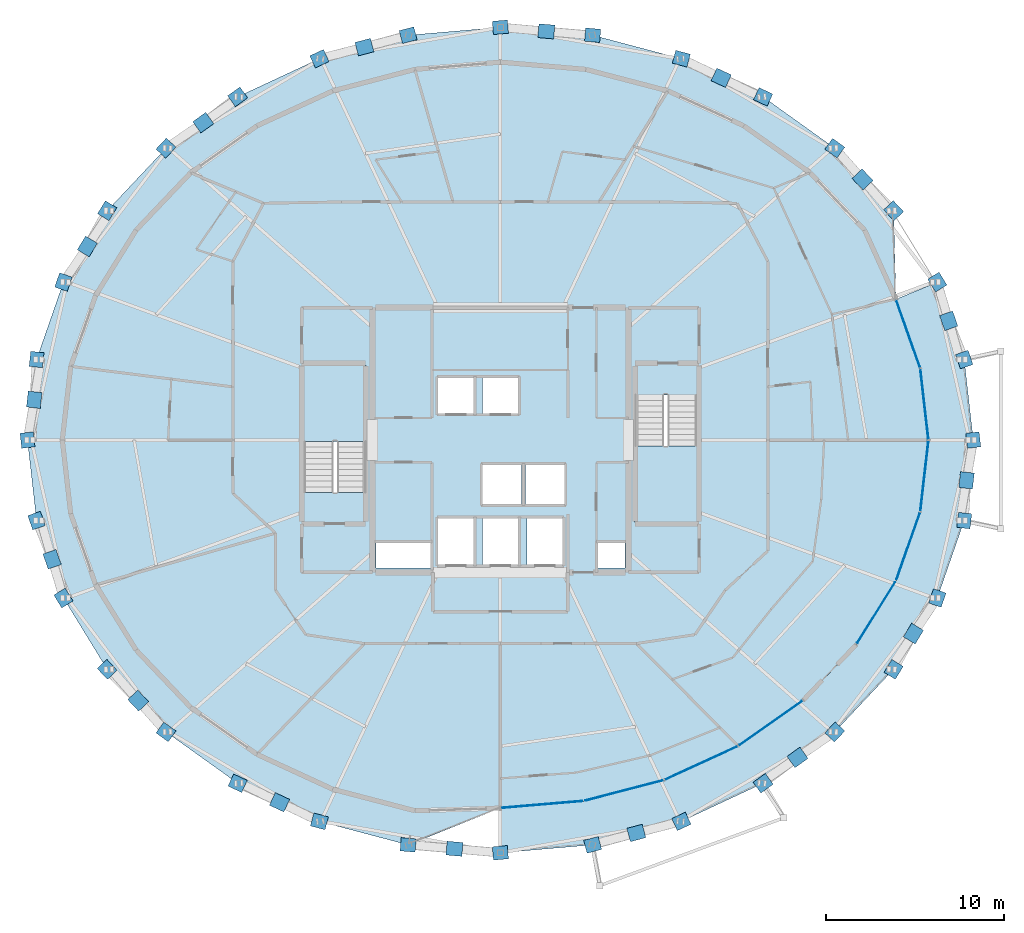
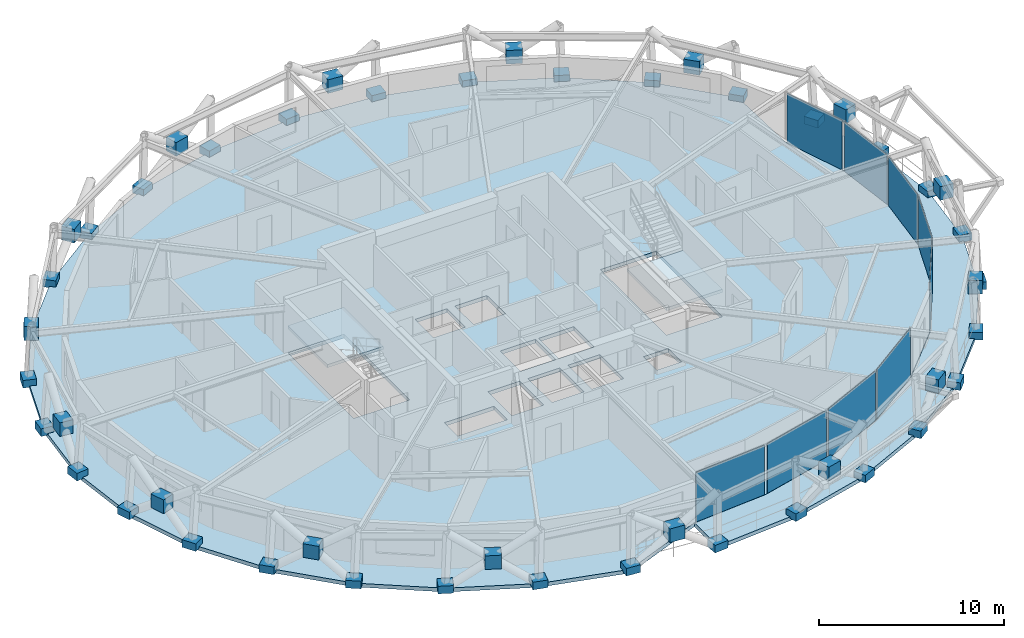
# One storey, part 11 of 17: 57 plates, 4 slabs, 4 elements without a shape of their own.
"""IFC4 building model written with IfcOpenShell, lengths in metres."""

from ifc_helpers import new_model, si_unit, direction, frame, origin, origin_2d, place, context, subcontext, project, spatial, polyline, rectangle, outline, extrude, material, layer, layer_set, type_object, element, aggregate, save


model = new_model("IFC4")

# Units and contexts
model_context = context("Model", 3, precision=1e-05, world=origin(), true_north=direction((0.0, 1.0)))
body_context = subcontext(model_context, "Body", "Model", "MODEL_VIEW")
ifc_project = project(units=[si_unit("LENGTHUNIT", "METRE"), si_unit("AREAUNIT", "SQUARE_METRE"), si_unit("VOLUMEUNIT", "CUBIC_METRE"), si_unit("PLANEANGLEUNIT", "RADIAN"), si_unit("MASSUNIT", "GRAM", prefix="KILO")], contexts=[model_context])

# Site, building, storey
site_placement = place(None, origin())
site = spatial("IfcSite", under=ifc_project, at=site_placement, CompositionType="ELEMENT")
building_placement = place(site_placement, origin())
building = spatial("IfcBuilding", under=site, at=building_placement, Name="Veldorina Hangang Commons", CompositionType="ELEMENT")
storey_placement = place(building_placement, frame((0.0, 0.0, 196.39990234375)))
storey = spatial("IfcBuildingStorey", under=building, at=storey_placement, Name="L51", CompositionType="ELEMENT", Elevation=196.39990234375)

# Curtain wall, plates
ifc_material_1 = material(Name="Glass Low-E Triple IGU", Category="glass")
ifc_layer_1 = layer(ifc_material_1, 0.179931640625)
ifc_layer_set_1 = layer_set([ifc_layer_1], Name="Glass Low-E Triple IGU")
curtain_wall_type = type_object("IfcCurtainWallType", Name="CW-SYS-Z2", PredefinedType="NOTDEFINED", material=ifc_layer_set_1)
curtain_wall_1_placement = place(storey_placement, origin())
curtain_wall_1 = element("IfcCurtainWall", 1, at=curtain_wall_1_placement, inside=storey, type_object=curtain_wall_type, Name="L51 unitised curtain wall CW-L51-R1", PredefinedType="NOTDEFINED")
ifc_layer_2 = layer(ifc_material_1, 0.0400390625)
ifc_layer_set_2 = layer_set([ifc_layer_2], Name="Glass Low-E Triple IGU")
plate_type_1 = type_object("IfcPlateType", Name="CW-PNL-VIS", PredefinedType="CURTAIN_PANEL", material=ifc_layer_set_2)
plate_1_placement = place(storey_placement, frame((34.35009765625, 3.49169921875, 0.01513671875), z_axis=(0.0, 0.0, 1.0), x_axis=(0.996435670704, 0.084356115068, 0.0)))
plate_1 = element("IfcPlate", 2, at=plate_1_placement, type_object=plate_type_1, Name="CW-L51-R1 facet 1 glazed vision panel", PredefinedType="CURTAIN_PANEL", context=body_context, shape_type="SweptSolid", body=[
    extrude(rectangle(XDim=4.536865234375, YDim=0.0400390625, at=origin_2d()), origin(), (0.0, 0.0, 1.0), 3.280029296875),
])
plate_2_placement = place(storey_placement, frame((38.9599609375, 4.27978515625, 0.01513671875), z_axis=(0.0, 0.0, 1.0), x_axis=(0.96765195285, 0.252288917999, 0.0)))
plate_2 = element("IfcPlate", 3, at=plate_2_placement, type_object=plate_type_1, Name="CW-L51-R1 facet 2 glazed vision panel", PredefinedType="CURTAIN_PANEL", context=body_context, shape_type="SweptSolid", body=[
    extrude(rectangle(XDim=4.490478515625, YDim=0.0400390625, at=origin_2d()), origin(), (0.0, 0.0, 1.0), 3.280029296875),
])
plate_3_placement = place(storey_placement, frame((43.302001953125, 5.82568359375, 0.01513671875), z_axis=(0.0, 0.0, 1.0), x_axis=(0.908683133569, 0.417486482137, 0.0)))
plate_3 = element("IfcPlate", 4, at=plate_3_placement, type_object=plate_type_1, Name="CW-L51-R1 facet 3 glazed vision panel", PredefinedType="CURTAIN_PANEL", context=body_context, shape_type="SweptSolid", body=[
    extrude(rectangle(XDim=4.40380859375, YDim=0.0400390625, at=origin_2d()), origin(), (0.0, 0.0, 1.0), 3.280029296875),
])
plate_4_placement = place(storey_placement, frame((47.210205078125, 8.070068359375, 0.01513671875), z_axis=(0.0, 0.0, 1.0), x_axis=(0.817165019121, 0.576403792081, 0.0)))
plate_4 = element("IfcPlate", 5, at=plate_4_placement, type_object=plate_type_1, Name="CW-L51-R1 facet 4 glazed vision panel", PredefinedType="CURTAIN_PANEL", context=body_context, shape_type="SweptSolid", body=[
    extrude(rectangle(XDim=4.28759765625, YDim=0.0400390625, at=origin_2d()), origin(), (0.0, 0.0, 1.0), 3.280029296875),
])
aggregate(curtain_wall_1, [plate_1, plate_2, plate_3, plate_4])

curtain_wall_2_placement = place(storey_placement, origin())
curtain_wall_2 = element("IfcCurtainWall", 6, at=curtain_wall_2_placement, inside=storey, type_object=curtain_wall_type, Name="L51 unitised curtain wall CW-L51-R2", PredefinedType="NOTDEFINED")
plate_5_placement = place(storey_placement, frame((53.14501953125, 14.28564453125, 0.01513671875), z_axis=(0.0, 0.0, 1.0), x_axis=(0.528082671944, 0.849192964875, 0.0)))
plate_5 = element("IfcPlate", 7, at=plate_5_placement, type_object=plate_type_1, Name="CW-L51-R2 facet 1 glazed vision panel", PredefinedType="CURTAIN_PANEL", context=body_context, shape_type="SweptSolid", body=[
    extrude(rectangle(XDim=4.035888671875, YDim=0.0400390625, at=origin_2d()), origin(), (0.0, 0.0, 1.0), 3.280029296875),
])
plate_6_placement = place(storey_placement, frame((54.943603515625, 18.017822265625, 0.01513671875), z_axis=(0.0, 0.0, 1.0), x_axis=(0.332819544523, 0.942990535893, 0.0)))
plate_6 = element("IfcPlate", 8, at=plate_6_placement, type_object=plate_type_1, Name="CW-L51-R2 facet 2 glazed vision panel", PredefinedType="CURTAIN_PANEL", context=body_context, shape_type="SweptSolid", body=[
    extrude(rectangle(XDim=3.939208984375, YDim=0.0400390625, at=origin_2d()), origin(), (0.0, 0.0, 1.0), 3.280029296875),
])
plate_7_placement = place(storey_placement, frame((55.860595703125, 21.97998046875, 0.01513671875), z_axis=(0.0, 0.0, 1.0), x_axis=(0.113844810828, 0.993498545066, 0.0)))
plate_7 = element("IfcPlate", 9, at=plate_7_placement, type_object=plate_type_1, Name="CW-L51-R2 facet 3 glazed vision panel", PredefinedType="CURTAIN_PANEL", context=body_context, shape_type="SweptSolid", body=[
    extrude(rectangle(XDim=3.88623046875, YDim=0.0400390625, at=origin_2d()), origin(), (0.0, 0.0, 1.0), 3.280029296875),
])
plate_8_placement = place(storey_placement, frame((55.860595703125, 26.02001953125, 0.01513671875), z_axis=(0.0, 0.0, 1.0), x_axis=(-0.113844810828, 0.993498545066, 0.0)))
plate_8 = element("IfcPlate", 10, at=plate_8_placement, type_object=plate_type_1, Name="CW-L51-R2 facet 4 glazed vision panel", PredefinedType="CURTAIN_PANEL", context=body_context, shape_type="SweptSolid", body=[
    extrude(rectangle(XDim=3.88623046875, YDim=0.0400390625, at=origin_2d()), origin(), (0.0, 0.0, 1.0), 3.280029296875),
])
plate_9_placement = place(storey_placement, frame((54.943603515625, 29.982177734375, 0.01513671875), z_axis=(0.0, 0.0, 1.0), x_axis=(-0.332819544523, 0.942990535893, 0.0)))
plate_9 = element("IfcPlate", 11, at=plate_9_placement, type_object=plate_type_1, Name="CW-L51-R2 facet 5 glazed vision panel", PredefinedType="CURTAIN_PANEL", context=body_context, shape_type="SweptSolid", body=[
    extrude(rectangle(XDim=3.939208984375, YDim=0.0400390625, at=origin_2d()), origin(), (0.0, 0.0, 1.0), 3.280029296875),
])
aggregate(curtain_wall_2, [plate_5, plate_6, plate_7, plate_8, plate_9])

# Plates
ifc_material_2 = material(Name="Steel SM460-TMC", Category="steel")
ifc_layer_3 = layer(ifc_material_2, 0.035888671875)
ifc_layer_set_3 = layer_set([ifc_layer_3], Name="Steel SM460-TMC")
plate_type_2 = type_object("IfcPlateType", Name="PL-STAR-36", PredefinedType="USERDEFINED", material=ifc_layer_set_3)
for number, where, z_axis, x_axis, name in (
    (12, (58.61181640625, 24.0, -0.08984375), (0.0, 0.0, 1.0), (-0.112127999485, 0.993693771607, 0.0), "L51 diagrid star-node gusset plate 00"),
    (13, (58.1005859375, 28.531494140625, -0.08984375), (0.0, 0.0, 1.0), (-0.328289698719, 0.944577087227, 0.0), "L51 diagrid star-node gusset plate 01"),
):
    element("IfcPlate", number, at=place(storey_placement, frame(where, z_axis=z_axis, x_axis=x_axis)), inside=storey, type_object=plate_type_2, Name=name, ObjectType="GUSSET PLATE", PredefinedType="USERDEFINED", context=body_context, shape_type="SweptSolid", body=[
        extrude(rectangle(XDim=0.85009765625, YDim=0.75, at=origin_2d()), origin(), (0.0, 0.0, 1.0), 0.5),
    ])
plate_10_placement = place(storey_placement, frame((57.2265625, 30.70947265625, 1.3515625), z_axis=(0.0, 0.0, 1.0), x_axis=(-0.328289698719, 0.944577087227, 0.0)))
element("IfcPlate", 14, at=plate_10_placement, inside=storey, type_object=plate_type_2, Name="L51 diagrid X-crossing star-node gusset plate 01", ObjectType="GUSSET PLATE", PredefinedType="USERDEFINED", context=body_context, shape_type="SweptSolid", body=[
    extrude(rectangle(XDim=0.89990234375, YDim=0.780029296875, at=origin_2d()), origin(), (0.0, 0.0, 1.0), 0.89990234375),
])
for number, where, z_axis, x_axis, name in (
    (15, (56.586181640625, 32.888671875, -0.08984375), (0.0, 0.0, 1.0), (-0.522245558291, 0.852795155266, 0.0), "L51 diagrid star-node gusset plate 02"),
    (16, (54.126953125, 36.904296875, -0.08984375), (0.0, 0.0, 1.0), (-0.685004995271, 0.728538369925, 0.0), "L51 diagrid star-node gusset plate 03"),
):
    element("IfcPlate", number, at=place(storey_placement, frame(where, z_axis=z_axis, x_axis=x_axis)), inside=storey, type_object=plate_type_2, Name=name, ObjectType="GUSSET PLATE", PredefinedType="USERDEFINED", context=body_context, shape_type="SweptSolid", body=[
        extrude(rectangle(XDim=0.85009765625, YDim=0.75, at=origin_2d()), origin(), (0.0, 0.0, 1.0), 0.5),
    ])
plate_11_placement = place(storey_placement, frame((52.379150390625, 38.6640625, 1.354248046875), z_axis=(0.0, 0.0, 1.0), x_axis=(-0.685004995271, 0.728538369925, 0.0)))
element("IfcPlate", 17, at=plate_11_placement, inside=storey, type_object=plate_type_2, Name="L51 diagrid X-crossing star-node gusset plate 03", ObjectType="GUSSET PLATE", PredefinedType="USERDEFINED", context=body_context, shape_type="SweptSolid", body=[
    extrude(rectangle(XDim=0.89990234375, YDim=0.780029296875, at=origin_2d()), origin(), (0.0, 0.0, 1.0), 0.89990234375),
])
for number, where, z_axis, x_axis, name in (
    (18, (50.8173828125, 40.42431640625, -0.08984375), (0.0, 0.0, 1.0), (-0.812958497301, 0.582321630774, 0.0), "L51 diagrid star-node gusset plate 04"),
    (19, (46.784912109375, 43.312744140625, -0.08984375), (0.0, 0.0, 1.0), (-0.906234012432, 0.422776435852, 0.0), "L51 diagrid star-node gusset plate 05"),
):
    element("IfcPlate", number, at=place(storey_placement, frame(where, z_axis=z_axis, x_axis=x_axis)), inside=storey, type_object=plate_type_2, Name=name, ObjectType="GUSSET PLATE", PredefinedType="USERDEFINED", context=body_context, shape_type="SweptSolid", body=[
        extrude(rectangle(XDim=0.85009765625, YDim=0.75, at=origin_2d()), origin(), (0.0, 0.0, 1.0), 0.5),
    ])
plate_12_placement = place(storey_placement, frame((44.427001953125, 44.384521484375, 1.357177734375), z_axis=(0.0, 0.0, 1.0), x_axis=(-0.906234012432, 0.422776435852, 0.0)))
element("IfcPlate", 20, at=plate_12_placement, inside=storey, type_object=plate_type_2, Name="L51 diagrid X-crossing star-node gusset plate 05", ObjectType="GUSSET PLATE", PredefinedType="USERDEFINED", context=body_context, shape_type="SweptSolid", body=[
    extrude(rectangle(XDim=0.89990234375, YDim=0.780029296875, at=origin_2d()), origin(), (0.0, 0.0, 1.0), 0.89990234375),
])
for number, where, z_axis, x_axis, name in (
    (21, (42.183837890625, 45.459228515625, -0.08984375), (0.0, 0.0, 1.0), (-0.966689504994, 0.255951950439, 0.0), "L51 diagrid star-node gusset plate 06"),
    (22, (37.191650390625, 46.781005859375, -0.08984375), (0.0, 0.0, 1.0), (-0.99632589006, 0.085642984514, 0.0), "L51 diagrid star-node gusset plate 07"),
):
    element("IfcPlate", number, at=place(storey_placement, frame(where, z_axis=z_axis, x_axis=x_axis)), inside=storey, type_object=plate_type_2, Name=name, ObjectType="GUSSET PLATE", PredefinedType="USERDEFINED", context=body_context, shape_type="SweptSolid", body=[
        extrude(rectangle(XDim=0.85009765625, YDim=0.75, at=origin_2d()), origin(), (0.0, 0.0, 1.0), 0.5),
    ])
plate_13_placement = place(storey_placement, frame((34.58349609375, 46.9990234375, 1.358642578125), z_axis=(0.0, 0.0, 1.0), x_axis=(-0.99632589006, 0.085642984514, 0.0)))
element("IfcPlate", 23, at=plate_13_placement, inside=storey, type_object=plate_type_2, Name="L51 diagrid X-crossing star-node gusset plate 07", ObjectType="GUSSET PLATE", PredefinedType="USERDEFINED", context=body_context, shape_type="SweptSolid", body=[
    extrude(rectangle(XDim=0.89990234375, YDim=0.780029296875, at=origin_2d()), origin(), (0.0, 0.0, 1.0), 0.89990234375),
])
for number, where, z_axis, x_axis, name in (
    (24, (32.0, 47.227294921875, -0.08984375), (0.0, 0.0, 1.0), (-0.99632589006, -0.085642984514, 0.0), "L51 diagrid star-node gusset plate 08"),
    (25, (26.808349609375, 46.781005859375, -0.08984375), (0.0, 0.0, 1.0), (-0.966689504994, -0.255951950439, 0.0), "L51 diagrid star-node gusset plate 09"),
):
    element("IfcPlate", number, at=place(storey_placement, frame(where, z_axis=z_axis, x_axis=x_axis)), inside=storey, type_object=plate_type_2, Name=name, ObjectType="GUSSET PLATE", PredefinedType="USERDEFINED", context=body_context, shape_type="SweptSolid", body=[
        extrude(rectangle(XDim=0.85009765625, YDim=0.75, at=origin_2d()), origin(), (0.0, 0.0, 1.0), 0.5),
    ])
plate_14_placement = place(storey_placement, frame((24.349365234375, 46.111572265625, 1.358154296875), z_axis=(0.0, 0.0, 1.0), x_axis=(-0.966689504994, -0.255951950439, 0.0)))
element("IfcPlate", 26, at=plate_14_placement, inside=storey, type_object=plate_type_2, Name="L51 diagrid X-crossing star-node gusset plate 09", ObjectType="GUSSET PLATE", PredefinedType="USERDEFINED", context=body_context, shape_type="SweptSolid", body=[
    extrude(rectangle(XDim=0.89990234375, YDim=0.780029296875, at=origin_2d()), origin(), (0.0, 0.0, 1.0), 0.89990234375),
])
for number, where, z_axis, x_axis, name in (
    (27, (21.816162109375, 45.459228515625, -0.08984375), (0.0, 0.0, 1.0), (-0.906234012432, -0.422776435852, 0.0), "L51 diagrid star-node gusset plate 10"),
    (28, (17.215087890625, 43.312744140625, -0.08984375), (0.0, 0.0, 1.0), (-0.812958497301, -0.582321630774, 0.0), "L51 diagrid star-node gusset plate 11"),
):
    element("IfcPlate", number, at=place(storey_placement, frame(where, z_axis=z_axis, x_axis=x_axis)), inside=storey, type_object=plate_type_2, Name=name, ObjectType="GUSSET PLATE", PredefinedType="USERDEFINED", context=body_context, shape_type="SweptSolid", body=[
        extrude(rectangle(XDim=0.85009765625, YDim=0.75, at=origin_2d()), origin(), (0.0, 0.0, 1.0), 0.5),
    ])
plate_15_placement = place(storey_placement, frame((15.281494140625, 41.859619140625, 1.35595703125), z_axis=(0.0, 0.0, 1.0), x_axis=(-0.812958497301, -0.582321630774, 0.0)))
element("IfcPlate", 29, at=plate_15_placement, inside=storey, type_object=plate_type_2, Name="L51 diagrid X-crossing star-node gusset plate 11", ObjectType="GUSSET PLATE", PredefinedType="USERDEFINED", context=body_context, shape_type="SweptSolid", body=[
    extrude(rectangle(XDim=0.89990234375, YDim=0.780029296875, at=origin_2d()), origin(), (0.0, 0.0, 1.0), 0.89990234375),
])
for number, where, z_axis, x_axis, name in (
    (30, (13.1826171875, 40.42431640625, -0.08984375), (0.0, 0.0, 1.0), (-0.685004995271, -0.728538369925, 0.0), "L51 diagrid star-node gusset plate 12"),
    (31, (9.873046875, 36.904296875, -0.08984375), (0.0, 0.0, 1.0), (-0.522245558291, -0.852795155266, 0.0), "L51 diagrid star-node gusset plate 13"),
):
    element("IfcPlate", number, at=place(storey_placement, frame(where, z_axis=z_axis, x_axis=x_axis)), inside=storey, type_object=plate_type_2, Name=name, ObjectType="GUSSET PLATE", PredefinedType="USERDEFINED", context=body_context, shape_type="SweptSolid", body=[
        extrude(rectangle(XDim=0.85009765625, YDim=0.75, at=origin_2d()), origin(), (0.0, 0.0, 1.0), 0.5),
    ])
plate_16_placement = place(storey_placement, frame((8.7578125, 34.891357421875, 1.352783203125), z_axis=(0.0, 0.0, 1.0), x_axis=(-0.522245558291, -0.852795155266, 0.0)))
element("IfcPlate", 32, at=plate_16_placement, inside=storey, type_object=plate_type_2, Name="L51 diagrid X-crossing star-node gusset plate 13", ObjectType="GUSSET PLATE", PredefinedType="USERDEFINED", context=body_context, shape_type="SweptSolid", body=[
    extrude(rectangle(XDim=0.89990234375, YDim=0.780029296875, at=origin_2d()), origin(), (0.0, 0.0, 1.0), 0.89990234375),
])
for number, where, z_axis, x_axis, name in (
    (33, (7.413818359375, 32.888671875, -0.08984375), (0.0, 0.0, 1.0), (-0.328289698719, -0.944577087227, 0.0), "L51 diagrid star-node gusset plate 14"),
    (34, (5.8994140625, 28.531494140625, -0.08984375), (0.0, 0.0, 1.0), (-0.112127999485, -0.993693771607, 0.0), "L51 diagrid star-node gusset plate 15"),
):
    element("IfcPlate", number, at=place(storey_placement, frame(where, z_axis=z_axis, x_axis=x_axis)), inside=storey, type_object=plate_type_2, Name=name, ObjectType="GUSSET PLATE", PredefinedType="USERDEFINED", context=body_context, shape_type="SweptSolid", body=[
        extrude(rectangle(XDim=0.85009765625, YDim=0.75, at=origin_2d()), origin(), (0.0, 0.0, 1.0), 0.5),
    ])
plate_17_placement = place(storey_placement, frame((5.769287109375, 26.264892578125, 1.350830078125), z_axis=(0.0, 0.0, 1.0), x_axis=(-0.112127999485, -0.993693771607, 0.0)))
element("IfcPlate", 35, at=plate_17_placement, inside=storey, type_object=plate_type_2, Name="L51 diagrid X-crossing star-node gusset plate 15", ObjectType="GUSSET PLATE", PredefinedType="USERDEFINED", context=body_context, shape_type="SweptSolid", body=[
    extrude(rectangle(XDim=0.89990234375, YDim=0.780029296875, at=origin_2d()), origin(), (0.0, 0.0, 1.0), 0.89990234375),
])
for number, where, z_axis, x_axis, name in (
    (36, (5.38818359375, 24.0, -0.08984375), (0.0, 0.0, 1.0), (0.112127999485, -0.993693771607, 0.0), "L51 diagrid star-node gusset plate 16"),
    (37, (5.8994140625, 19.468505859375, -0.08984375), (0.0, 0.0, 1.0), (0.328289698719, -0.944577087227, 0.0), "L51 diagrid star-node gusset plate 17"),
):
    element("IfcPlate", number, at=place(storey_placement, frame(where, z_axis=z_axis, x_axis=x_axis)), inside=storey, type_object=plate_type_2, Name=name, ObjectType="GUSSET PLATE", PredefinedType="USERDEFINED", context=body_context, shape_type="SweptSolid", body=[
        extrude(rectangle(XDim=0.85009765625, YDim=0.75, at=origin_2d()), origin(), (0.0, 0.0, 1.0), 0.5),
    ])
plate_18_placement = place(storey_placement, frame((6.7734375, 17.29052734375, 1.3515625), z_axis=(0.0, 0.0, 1.0), x_axis=(0.328289698719, -0.944577087227, 0.0)))
element("IfcPlate", 38, at=plate_18_placement, inside=storey, type_object=plate_type_2, Name="L51 diagrid X-crossing star-node gusset plate 17", ObjectType="GUSSET PLATE", PredefinedType="USERDEFINED", context=body_context, shape_type="SweptSolid", body=[
    extrude(rectangle(XDim=0.89990234375, YDim=0.780029296875, at=origin_2d()), origin(), (0.0, 0.0, 1.0), 0.89990234375),
])
for number, where, z_axis, x_axis, name in (
    (39, (7.413818359375, 15.111328125, -0.08984375), (0.0, 0.0, 1.0), (0.522245558291, -0.852795155266, 0.0), "L51 diagrid star-node gusset plate 18"),
    (40, (9.873046875, 11.095703125, -0.08984375), (0.0, 0.0, 1.0), (0.685004995271, -0.728538369925, 0.0), "L51 diagrid star-node gusset plate 19"),
):
    element("IfcPlate", number, at=place(storey_placement, frame(where, z_axis=z_axis, x_axis=x_axis)), inside=storey, type_object=plate_type_2, Name=name, ObjectType="GUSSET PLATE", PredefinedType="USERDEFINED", context=body_context, shape_type="SweptSolid", body=[
        extrude(rectangle(XDim=0.85009765625, YDim=0.75, at=origin_2d()), origin(), (0.0, 0.0, 1.0), 0.5),
    ])
plate_19_placement = place(storey_placement, frame((11.620849609375, 9.3359375, 1.354248046875), z_axis=(0.0, 0.0, 1.0), x_axis=(0.685004995271, -0.728538369925, 0.0)))
element("IfcPlate", 41, at=plate_19_placement, inside=storey, type_object=plate_type_2, Name="L51 diagrid X-crossing star-node gusset plate 19", ObjectType="GUSSET PLATE", PredefinedType="USERDEFINED", context=body_context, shape_type="SweptSolid", body=[
    extrude(rectangle(XDim=0.89990234375, YDim=0.780029296875, at=origin_2d()), origin(), (0.0, 0.0, 1.0), 0.89990234375),
])
for number, where, z_axis, x_axis, name in (
    (42, (13.1826171875, 7.57568359375, -0.08984375), (0.0, 0.0, 1.0), (0.812958497301, -0.582321630774, 0.0), "L51 diagrid star-node gusset plate 20"),
    (43, (17.215087890625, 4.687255859375, -0.08984375), (0.0, 0.0, 1.0), (0.906234012432, -0.422776435852, 0.0), "L51 diagrid star-node gusset plate 21"),
):
    element("IfcPlate", number, at=place(storey_placement, frame(where, z_axis=z_axis, x_axis=x_axis)), inside=storey, type_object=plate_type_2, Name=name, ObjectType="GUSSET PLATE", PredefinedType="USERDEFINED", context=body_context, shape_type="SweptSolid", body=[
        extrude(rectangle(XDim=0.85009765625, YDim=0.75, at=origin_2d()), origin(), (0.0, 0.0, 1.0), 0.5),
    ])
plate_20_placement = place(storey_placement, frame((19.572998046875, 3.615478515625, 1.357177734375), z_axis=(0.0, 0.0, 1.0), x_axis=(0.906234012432, -0.422776435852, 0.0)))
element("IfcPlate", 44, at=plate_20_placement, inside=storey, type_object=plate_type_2, Name="L51 diagrid X-crossing star-node gusset plate 21", ObjectType="GUSSET PLATE", PredefinedType="USERDEFINED", context=body_context, shape_type="SweptSolid", body=[
    extrude(rectangle(XDim=0.89990234375, YDim=0.780029296875, at=origin_2d()), origin(), (0.0, 0.0, 1.0), 0.89990234375),
])
for number, where, z_axis, x_axis, name in (
    (45, (21.816162109375, 2.540771484375, -0.08984375), (0.0, 0.0, 1.0), (0.966689504994, -0.255951950439, 0.0), "L51 diagrid star-node gusset plate 22"),
    (46, (26.808349609375, 1.218994140625, -0.08984375), (0.0, 0.0, 1.0), (0.99632589006, -0.085642984514, 0.0), "L51 diagrid star-node gusset plate 23"),
):
    element("IfcPlate", number, at=place(storey_placement, frame(where, z_axis=z_axis, x_axis=x_axis)), inside=storey, type_object=plate_type_2, Name=name, ObjectType="GUSSET PLATE", PredefinedType="USERDEFINED", context=body_context, shape_type="SweptSolid", body=[
        extrude(rectangle(XDim=0.85009765625, YDim=0.75, at=origin_2d()), origin(), (0.0, 0.0, 1.0), 0.5),
    ])
plate_21_placement = place(storey_placement, frame((29.41650390625, 1.0009765625, 1.358642578125), z_axis=(0.0, 0.0, 1.0), x_axis=(0.99632589006, -0.085642984514, 0.0)))
element("IfcPlate", 47, at=plate_21_placement, inside=storey, type_object=plate_type_2, Name="L51 diagrid X-crossing star-node gusset plate 23", ObjectType="GUSSET PLATE", PredefinedType="USERDEFINED", context=body_context, shape_type="SweptSolid", body=[
    extrude(rectangle(XDim=0.89990234375, YDim=0.780029296875, at=origin_2d()), origin(), (0.0, 0.0, 1.0), 0.89990234375),
])
for number, where, z_axis, x_axis, name in (
    (48, (32.0, 0.772705078125, -0.08984375), (0.0, 0.0, 1.0), (0.99632589006, 0.085642984514, 0.0), "L51 diagrid star-node gusset plate 24"),
    (49, (37.191650390625, 1.218994140625, -0.08984375), (0.0, 0.0, 1.0), (0.966689504994, 0.255951950439, 0.0), "L51 diagrid star-node gusset plate 25"),
):
    element("IfcPlate", number, at=place(storey_placement, frame(where, z_axis=z_axis, x_axis=x_axis)), inside=storey, type_object=plate_type_2, Name=name, ObjectType="GUSSET PLATE", PredefinedType="USERDEFINED", context=body_context, shape_type="SweptSolid", body=[
        extrude(rectangle(XDim=0.85009765625, YDim=0.75, at=origin_2d()), origin(), (0.0, 0.0, 1.0), 0.5),
    ])
plate_22_placement = place(storey_placement, frame((39.650634765625, 1.888427734375, 1.358154296875), z_axis=(0.0, 0.0, 1.0), x_axis=(0.966689504994, 0.255951950439, 0.0)))
element("IfcPlate", 50, at=plate_22_placement, inside=storey, type_object=plate_type_2, Name="L51 diagrid X-crossing star-node gusset plate 25", ObjectType="GUSSET PLATE", PredefinedType="USERDEFINED", context=body_context, shape_type="SweptSolid", body=[
    extrude(rectangle(XDim=0.89990234375, YDim=0.780029296875, at=origin_2d()), origin(), (0.0, 0.0, 1.0), 0.89990234375),
])
for number, where, z_axis, x_axis, name in (
    (51, (42.183837890625, 2.540771484375, -0.08984375), (0.0, 0.0, 1.0), (0.906234012432, 0.422776435852, 0.0), "L51 diagrid star-node gusset plate 26"),
    (52, (46.784912109375, 4.687255859375, -0.08984375), (0.0, 0.0, 1.0), (0.812958497301, 0.582321630774, 0.0), "L51 diagrid star-node gusset plate 27"),
):
    element("IfcPlate", number, at=place(storey_placement, frame(where, z_axis=z_axis, x_axis=x_axis)), inside=storey, type_object=plate_type_2, Name=name, ObjectType="GUSSET PLATE", PredefinedType="USERDEFINED", context=body_context, shape_type="SweptSolid", body=[
        extrude(rectangle(XDim=0.85009765625, YDim=0.75, at=origin_2d()), origin(), (0.0, 0.0, 1.0), 0.5),
    ])
plate_23_placement = place(storey_placement, frame((48.718505859375, 6.140380859375, 1.35595703125), z_axis=(0.0, 0.0, 1.0), x_axis=(0.812958497301, 0.582321630774, 0.0)))
element("IfcPlate", 53, at=plate_23_placement, inside=storey, type_object=plate_type_2, Name="L51 diagrid X-crossing star-node gusset plate 27", ObjectType="GUSSET PLATE", PredefinedType="USERDEFINED", context=body_context, shape_type="SweptSolid", body=[
    extrude(rectangle(XDim=0.89990234375, YDim=0.780029296875, at=origin_2d()), origin(), (0.0, 0.0, 1.0), 0.89990234375),
])
for number, where, z_axis, x_axis, name in (
    (54, (50.8173828125, 7.57568359375, -0.08984375), (0.0, 0.0, 1.0), (0.685004995271, 0.728538369925, 0.0), "L51 diagrid star-node gusset plate 28"),
    (55, (54.126953125, 11.095703125, -0.08984375), (0.0, 0.0, 1.0), (0.522245558291, 0.852795155266, 0.0), "L51 diagrid star-node gusset plate 29"),
):
    element("IfcPlate", number, at=place(storey_placement, frame(where, z_axis=z_axis, x_axis=x_axis)), inside=storey, type_object=plate_type_2, Name=name, ObjectType="GUSSET PLATE", PredefinedType="USERDEFINED", context=body_context, shape_type="SweptSolid", body=[
        extrude(rectangle(XDim=0.85009765625, YDim=0.75, at=origin_2d()), origin(), (0.0, 0.0, 1.0), 0.5),
    ])
plate_24_placement = place(storey_placement, frame((55.2421875, 13.108642578125, 1.352783203125), z_axis=(0.0, 0.0, 1.0), x_axis=(0.522245558291, 0.852795155266, 0.0)))
element("IfcPlate", 56, at=plate_24_placement, inside=storey, type_object=plate_type_2, Name="L51 diagrid X-crossing star-node gusset plate 29", ObjectType="GUSSET PLATE", PredefinedType="USERDEFINED", context=body_context, shape_type="SweptSolid", body=[
    extrude(rectangle(XDim=0.89990234375, YDim=0.780029296875, at=origin_2d()), origin(), (0.0, 0.0, 1.0), 0.89990234375),
])
for number, where, z_axis, x_axis, name in (
    (57, (56.586181640625, 15.111328125, -0.08984375), (0.0, 0.0, 1.0), (0.328289698719, 0.944577087227, 0.0), "L51 diagrid star-node gusset plate 30"),
    (58, (58.1005859375, 19.468505859375, -0.08984375), (0.0, 0.0, 1.0), (0.112127999485, 0.993693771607, 0.0), "L51 diagrid star-node gusset plate 31"),
):
    element("IfcPlate", number, at=place(storey_placement, frame(where, z_axis=z_axis, x_axis=x_axis)), inside=storey, type_object=plate_type_2, Name=name, ObjectType="GUSSET PLATE", PredefinedType="USERDEFINED", context=body_context, shape_type="SweptSolid", body=[
        extrude(rectangle(XDim=0.85009765625, YDim=0.75, at=origin_2d()), origin(), (0.0, 0.0, 1.0), 0.5),
    ])
plate_25_placement = place(storey_placement, frame((58.230712890625, 21.735107421875, 1.350830078125), z_axis=(0.0, 0.0, 1.0), x_axis=(0.112127999485, 0.993693771607, 0.0)))
element("IfcPlate", 59, at=plate_25_placement, inside=storey, type_object=plate_type_2, Name="L51 diagrid X-crossing star-node gusset plate 31", ObjectType="GUSSET PLATE", PredefinedType="USERDEFINED", context=body_context, shape_type="SweptSolid", body=[
    extrude(rectangle(XDim=0.89990234375, YDim=0.780029296875, at=origin_2d()), origin(), (0.0, 0.0, 1.0), 0.89990234375),
])

# Slabs
ifc_material_3 = material(Name="Concrete C40/50", Category="concrete")
ifc_layer_4 = layer(ifc_material_3, 0.25)
ifc_layer_set_4 = layer_set([ifc_layer_4], Name="Concrete C40/50")
slab_type_1 = type_object("IfcSlabType", Name="SL-FLR-250", PredefinedType="FLOOR", material=ifc_layer_set_4)
slab_1_placement = place(storey_placement, frame((0.0, 0.0, -0.25)))
element("IfcSlab", 60, at=slab_1_placement, inside=storey, type_object=slab_type_1, Name="L51 tower structural floor slab", PredefinedType="FLOOR", context=body_context, shape_type="SweptSolid", body=[
    extrude(outline(polyline([(56.091796875, 24.0), (55.62890625, 28.039794921875), (54.258056640625, 31.92431640625), (54.126953125, 36.904296875), (50.8173828125, 40.42431640625), (46.784912109375, 43.312744140625), (42.183837890625, 45.459228515625), (37.191650390625, 46.781005859375), (32.0, 47.227294921875), (26.808349609375, 46.781005859375), (21.816162109375, 45.459228515625), (17.215087890625, 43.312744140625), (13.1826171875, 40.42431640625), (9.873046875, 36.904296875), (7.413818359375, 32.888671875), (5.8994140625, 28.531494140625), (5.38818359375, 24.0), (5.8994140625, 19.468505859375), (7.413818359375, 15.111328125), (9.873046875, 11.095703125), (13.1826171875, 7.57568359375), (17.215087890625, 4.687255859375), (21.816162109375, 2.540771484375), (26.808349609375, 1.218994140625), (32.0, 3.292724609375), (36.7001953125, 3.690673828125), (41.219482421875, 4.868896484375), (45.384765625, 6.782470703125), (49.035400390625, 9.357666015625), (52.03173828125, 12.49560546875), (54.258056640625, 16.07568359375), (55.62890625, 19.960205078125), (56.091796875, 24.0)]), holes=[polyline([(20.949951171875, 21.05810546875), (20.949951171875, 28.199951171875), (24.449951171875, 28.199951171875), (24.449951171875, 21.05810546875), (20.949951171875, 21.05810546875)]), polyline([(43.050048828125, 26.5419921875), (43.050048828125, 19.39990234375), (39.550048828125, 19.39990234375), (39.550048828125, 26.5419921875), (43.050048828125, 26.5419921875)]), polyline([(28.5, 27.5), (30.5, 27.5), (30.5, 25.5), (28.5, 25.5), (28.5, 27.5)]), polyline([(31.0, 27.5), (33.0, 27.5), (33.0, 25.5), (31.0, 25.5), (31.0, 27.5)]), polyline([(31.0, 22.60009765625), (33.199951171875, 22.60009765625), (33.199951171875, 20.39990234375), (31.0, 20.39990234375), (31.0, 22.60009765625)]), polyline([(33.39990234375, 22.60009765625), (35.60009765625, 22.60009765625), (35.60009765625, 20.39990234375), (33.39990234375, 20.39990234375), (33.39990234375, 22.60009765625)]), polyline([(28.5, 19.60009765625), (30.5, 19.60009765625), (30.5, 17.0), (28.5, 17.0), (28.5, 19.60009765625)]), polyline([(31.0, 19.60009765625), (33.0, 19.60009765625), (33.0, 17.0), (31.0, 17.0), (31.0, 19.60009765625)]), polyline([(33.5, 19.60009765625), (35.5, 19.60009765625), (35.5, 17.0), (33.5, 17.0), (33.5, 19.60009765625)]), polyline([(25.0, 18.25), (28.10009765625, 18.25), (28.10009765625, 16.800048828125), (25.0, 16.800048828125), (25.0, 18.25)]), polyline([(37.449951171875, 18.25), (39.0, 18.25), (39.0, 16.800048828125), (37.449951171875, 16.800048828125), (37.449951171875, 18.25)])]), origin(), (0.0, 0.0, 1.0), 0.25),
])
slab_2_placement = place(storey_placement, frame((0.0, 0.0, -0.25)))
element("IfcSlab", 61, at=slab_2_placement, inside=storey, type_object=slab_type_1, Name="L51 sky-garden loggia outdoor slab", PredefinedType="FLOOR", context=body_context, shape_type="SweptSolid", body=[
    extrude(outline(polyline([(56.586181640625, 32.888671875), (58.1005859375, 28.531494140625), (58.61181640625, 24.0), (58.1005859375, 19.468505859375), (56.586181640625, 15.111328125), (54.126953125, 11.095703125), (50.8173828125, 7.57568359375), (46.784912109375, 4.687255859375), (42.183837890625, 2.540771484375), (37.191650390625, 1.218994140625), (32.0, 0.772705078125), (32.0, 3.276611328125), (32.00341796875, 3.27783203125), (36.701416015625, 3.67578125), (36.70263671875, 3.67578125), (36.703857421875, 3.676025390625), (41.223388671875, 4.8544921875), (41.224609375, 4.854736328125), (41.225830078125, 4.855224609375), (45.39111328125, 6.768798828125), (45.39208984375, 6.76953125), (45.393310546875, 6.770263671875), (49.044189453125, 9.345458984375), (49.04541015625, 9.34619140625), (49.04638671875, 9.347412109375), (52.04248046875, 12.485107421875), (52.043701171875, 12.486328125), (52.04443359375, 12.48779296875), (54.270751953125, 16.06787109375), (54.271484375, 16.069091796875), (54.272216796875, 16.07080078125), (55.64306640625, 19.955078125), (55.6435546875, 19.956787109375), (55.643798828125, 19.95849609375), (56.106689453125, 23.998291015625), (56.10693359375, 24.0), (56.106689453125, 24.001708984375), (55.643798828125, 28.04150390625), (55.6435546875, 28.043212890625), (55.64306640625, 28.044921875), (54.27294921875, 31.927001953125), (54.272705078125, 31.930419921875), (56.586181640625, 32.888671875)])), origin(), (0.0, 0.0, 1.0), 0.25),
])

# Stair, slab
stair_type = type_object("IfcStairType", Name="STR-DOG-1650-20R", PredefinedType="HALF_TURN_STAIR", material=ifc_material_3)
stair_1_placement = place(storey_placement, origin())
stair_1 = element("IfcStair", 62, at=stair_1_placement, inside=storey, type_object=stair_type, Name="L51 Exit stair ST-1", PredefinedType="HALF_TURN_STAIR")
ifc_layer_5 = layer(ifc_material_3, 0.199951171875)
ifc_layer_set_5 = layer_set([ifc_layer_5], Name="Concrete C40/50")
slab_type_2 = type_object("IfcSlabType", Name="SL-LND-200", PredefinedType="LANDING", material=ifc_layer_set_5)
slab_3_placement = place(storey_placement, frame((0.0, 0.0, 1.60009765625)))
slab_3 = element("IfcSlab", 63, at=slab_3_placement, type_object=slab_type_2, Name="ST-1 landing 1", PredefinedType="LANDING", context=body_context, shape_type="SweptSolid", body=[
    extrude(outline(polyline([(24.449951171875, 23.929931640625), (24.449951171875, 28.199951171875), (20.949951171875, 28.199951171875), (20.949951171875, 23.929931640625), (24.449951171875, 23.929931640625)])), origin(), (0.0, 0.0, 1.0), 0.199951171875),
])
aggregate(stair_1, [slab_3])

stair_2_placement = place(storey_placement, origin())
stair_2 = element("IfcStair", 64, at=stair_2_placement, inside=storey, type_object=stair_type, Name="L51 Exit stair ST-2", PredefinedType="HALF_TURN_STAIR")
slab_4_placement = place(storey_placement, frame((0.0, 0.0, 1.60009765625)))
slab_4 = element("IfcSlab", 65, at=slab_4_placement, type_object=slab_type_2, Name="ST-2 landing 1", PredefinedType="LANDING", context=body_context, shape_type="SweptSolid", body=[
    extrude(outline(polyline([(39.550048828125, 23.669921875), (39.550048828125, 19.39990234375), (43.050048828125, 19.39990234375), (43.050048828125, 23.669921875), (39.550048828125, 23.669921875)])), origin(), (0.0, 0.0, 1.0), 0.199951171875),
])
aggregate(stair_2, [slab_4])

save(model, "model.ifc")
